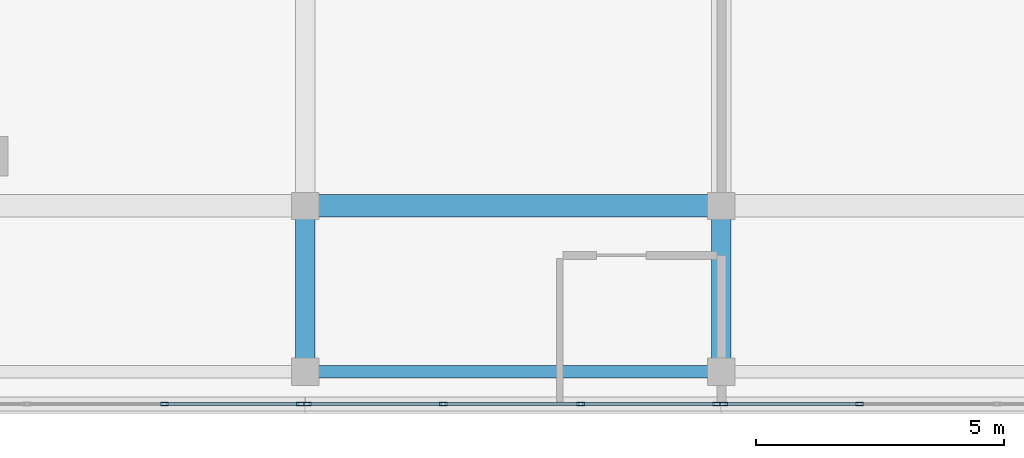
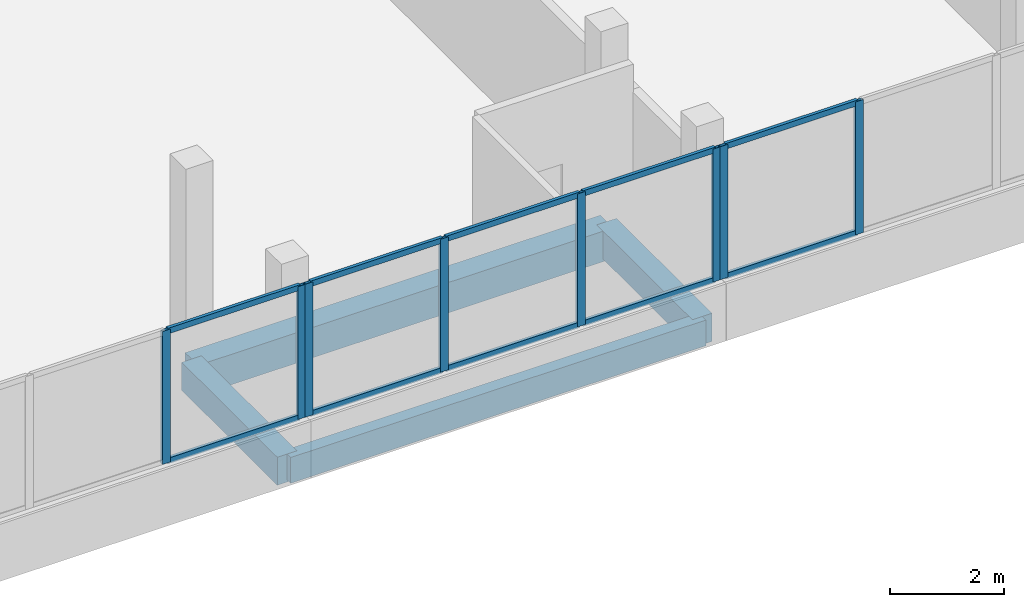
# One storey, part 23 of 66: 18 members, 4 beams, 3 elements without a shape of their own.
"""IFC4 building model written with IfcOpenShell, lengths in metres."""

import ifcopenshell
import ifcopenshell.guid

model = None  # the IFC model being written
_history = None  # IfcOwnerHistory: only IFC2X3 demands one
_inside = {}  # id of a spatial element -> (the spatial element, [elements in it])
_under = {}  # id of a project, library or spatial element -> (it, [spatial elements below it])
_declared = {}  # id of a project -> (the project, [libraries it declares])
_typed = {}  # id of a type object -> (the type object, [elements of that type])
_made_of = {}  # id of a material, layer set ... -> (it, [elements and type objects made of it])


def new_model(schema):
    """Start an empty IFC model of exactly this schema.

    Asked for "IFC4X3", IfcOpenShell would pick the latest addendum, in which some entities
    have other attributes; the version numbers below select the first issue.
    IFC2X3 requires an IfcOwnerHistory on every rooted entity: one is made here for all.
    """
    global model, _history
    if schema == "IFC4X3":
        model = ifcopenshell.file(schema_version=(4, 3, 0, 0))
    else:
        model = ifcopenshell.file(schema=schema)
    _inside.clear()
    _under.clear()
    _declared.clear()
    _typed.clear()
    _made_of.clear()
    _history = None
    if model.schema == "IFC2X3":
        org = make("IfcOrganization", Name="unknown")
        user = make(
            "IfcPersonAndOrganization",
            ThePerson=make("IfcPerson", FamilyName="unknown"),
            TheOrganization=org,
        )
        app = make(
            "IfcApplication",
            ApplicationDeveloper=org,
            Version="unknown",
            ApplicationFullName="unknown",
            ApplicationIdentifier="unknown",
        )
        _history = make(
            "IfcOwnerHistory",
            OwningUser=user,
            OwningApplication=app,
            ChangeAction="ADDED",
            CreationDate=0,
        )
    return model


def make(cls, **values):
    """One entity of the class cls with the attributes given. An attribute that is None is left unset."""
    return model.create_entity(
        cls, **{name: value for name, value in values.items() if value is not None}
    )


def rooted(cls, **values):
    """An entity with a GlobalId (a new one), such as an element, a storey or a relation."""
    return make(cls, GlobalId=ifcopenshell.guid.new(), OwnerHistory=_history, **values)


def si_unit(unit_type, name, prefix=None):
    """IfcSIUnit, for example si_unit("LENGTHUNIT", "METRE", prefix="MILLI")."""
    return make("IfcSIUnit", UnitType=unit_type, Prefix=prefix, Name=name)


def assignment(units):
    """IfcUnitAssignment: the units of a project."""
    return None if units is None else make("IfcUnitAssignment", Units=units)


def point(xyz):
    """IfcCartesianPoint."""
    return None if xyz is None else make("IfcCartesianPoint", Coordinates=xyz)


def direction(xyz):
    """IfcDirection."""
    return None if xyz is None else make("IfcDirection", DirectionRatios=xyz)


def frame(location, z_axis=None, x_axis=None):
    """IfcAxis2Placement3D, a coordinate frame: its origin and axes. An axis left out is left unset."""
    return make(
        "IfcAxis2Placement3D",
        Location=point(location),
        Axis=direction(z_axis),
        RefDirection=direction(x_axis),
    )


def frame_2d(location, x_axis=None):
    """IfcAxis2Placement2D, a coordinate frame in the plane: its origin and x axis."""
    return make(
        "IfcAxis2Placement2D", Location=point(location), RefDirection=direction(x_axis)
    )


def origin():
    """The frame at (0, 0, 0) with its axes left unset."""
    return frame((0.0, 0.0, 0.0))


def origin_2d():
    """The frame at (0, 0) in the plane with its x axis left unset."""
    return frame_2d((0.0, 0.0))


def place(relative_to, where):
    """IfcLocalPlacement: puts the frame where relative to a parent placement (None: the world)."""
    return make(
        "IfcLocalPlacement", PlacementRelTo=relative_to, RelativePlacement=where
    )


def context(
    kind, dimensions, precision=None, world=None, true_north=None, identifier=None
):
    """IfcGeometricRepresentationContext, for example the 3D "Model" context."""
    return make(
        "IfcGeometricRepresentationContext",
        ContextIdentifier=identifier,
        ContextType=kind,
        CoordinateSpaceDimension=dimensions,
        Precision=precision,
        WorldCoordinateSystem=world,
        TrueNorth=true_north,
    )


def subcontext(parent, identifier, kind, view, scale=None):
    """IfcGeometricRepresentationSubContext, for example "Body" below "Model"."""
    return make(
        "IfcGeometricRepresentationSubContext",
        ContextIdentifier=identifier,
        ContextType=kind,
        ParentContext=parent,
        TargetScale=scale,
        TargetView=view,
    )


def project(units=None, contexts=None):
    """IfcProject with its units and contexts."""
    return rooted(
        "IfcProject",
        Name="project",
        RepresentationContexts=contexts,
        UnitsInContext=assignment(units),
    )


def spatial(cls, under=None, at=None, **own):
    """A site, building, storey or space (cls), placed at a placement, below another one or the project."""
    s = rooted(cls, ObjectPlacement=at, **own)
    if under is not None:
        _under.setdefault(under.id(), (under, []))[1].append(s)
    return s


def profile(cls, at=None, kind="AREA", **sizes):
    """A parametric profile (cls). Its sizes go by their IFC names, for example OverallWidth=200.0."""
    return make(cls, ProfileType=kind, Position=at, **sizes)


def rectangle(**sizes):
    """IfcRectangleProfileDef."""
    return profile("IfcRectangleProfileDef", **sizes)


def hollow_rectangle(**sizes):
    """IfcRectangleHollowProfileDef."""
    return profile("IfcRectangleHollowProfileDef", **sizes)


def extrude(swept, where, along, depth):
    """IfcExtrudedAreaSolid: the profile swept, set in the frame where, extruded along a direction by depth."""
    return make(
        "IfcExtrudedAreaSolid",
        SweptArea=swept,
        Position=where,
        ExtrudedDirection=direction(along),
        Depth=depth,
    )


def shape(context_of_items, identifier, shape_type, items):
    """IfcShapeRepresentation: the items that make up one representation, for example the "Body"."""
    return make(
        "IfcShapeRepresentation",
        ContextOfItems=context_of_items,
        RepresentationIdentifier=identifier,
        RepresentationType=shape_type,
        Items=items,
    )


def material(Name=None, Category=None):
    """IfcMaterial."""
    return make("IfcMaterial", Name=Name, Category=Category)


def material_profile(
    of_material, cross_section, Name=None, Category=None, Priority=None
):
    """IfcMaterialProfile: a cross section and its material."""
    return make(
        "IfcMaterialProfile",
        Name=Name,
        Material=of_material,
        Profile=cross_section,
        Priority=Priority,
        Category=Category,
    )


def profile_set(profiles, Name=None, composite=None):
    """IfcMaterialProfileSet."""
    return make(
        "IfcMaterialProfileSet",
        Name=Name,
        MaterialProfiles=profiles,
        CompositeProfile=composite,
    )


def made_of(thing, what):
    """Note that an element or type object is made of a material, layer set ...; save() writes the relation."""
    if what is not None:
        _made_of.setdefault(what.id(), (what, []))[1].append(thing)
    return thing


def type_object(cls, material=None, **own):
    """A type object (cls), such as IfcWallType, which elements share."""
    return made_of(rooted(cls, **own), material)


def element(
    cls,
    number,
    at=None,
    inside=None,
    cuts=None,
    type_object=None,
    material=None,
    context=None,
    identifier="Body",
    shape_type=None,
    held_by="IfcProductDefinitionShape",
    body=None,
    shapes=None,
    **own,
):
    """One element of the class cls, such as IfcWall. Its Tag is "e" and its number.

    at: its placement. inside: the storey or other place that contains it. cuts: it is an
    opening in that element (IfcRelVoidsElement). A single representation is given by context,
    identifier, shape_type and body (its items); several are given by shapes. held_by: the class
    of the entity that holds the representations. save() writes the other relations.
    """
    e = rooted(cls, Tag="e%d" % number, ObjectPlacement=at, **own)
    if body is not None:
        shapes = [shape(context, identifier, shape_type, body)]
    if shapes is not None:
        e.Representation = make(held_by, Representations=shapes)
    if inside is not None:
        _inside.setdefault(inside.id(), (inside, []))[1].append(e)
    if cuts is not None:
        rooted(
            "IfcRelVoidsElement", RelatingBuildingElement=cuts, RelatedOpeningElement=e
        )
    if type_object is not None:
        _typed.setdefault(type_object.id(), (type_object, []))[1].append(e)
    return made_of(e, material)


def aggregate(whole, parts):
    """IfcRelAggregates: a whole, such as a stair, and the parts it consists of."""
    return rooted("IfcRelAggregates", RelatingObject=whole, RelatedObjects=parts)


def save(model, path):
    """Write the relations noted so far, then the file.

    IfcRelAggregates (storeys below a building ...), IfcRelContainedInSpatialStructure (elements
    in a storey), IfcRelDefinesByType, IfcRelAssociatesMaterial and IfcRelDeclares: one each for
    every whole, place, type object, material and project.
    """
    for whole, parts in _under.values():
        aggregate(whole, parts)
    for where, things in _inside.values():
        rooted(
            "IfcRelContainedInSpatialStructure",
            RelatedElements=things,
            RelatingStructure=where,
        )
    for kind, things in _typed.values():
        rooted("IfcRelDefinesByType", RelatedObjects=things, RelatingType=kind)
    for what, things in _made_of.values():
        rooted("IfcRelAssociatesMaterial", RelatedObjects=things, RelatingMaterial=what)
    for by, libraries in _declared.values():
        rooted("IfcRelDeclares", RelatingContext=by, RelatedDefinitions=libraries)
    model.write(path)


model = new_model("IFC4")

# Units and contexts
model_context = context("Model", 3, precision=1e-05, world=origin(), true_north=direction((0.0, 1.0)))
body_context = subcontext(model_context, "Body", "Model", "MODEL_VIEW")
ifc_project = project(units=[si_unit("LENGTHUNIT", "METRE"), si_unit("AREAUNIT", "SQUARE_METRE"), si_unit("VOLUMEUNIT", "CUBIC_METRE"), si_unit("PLANEANGLEUNIT", "RADIAN"), si_unit("MASSUNIT", "GRAM", prefix="KILO")], contexts=[model_context])

# Site, building, storey
site_placement = place(None, origin())
site = spatial("IfcSite", under=ifc_project, at=site_placement, CompositionType="ELEMENT")
building_placement = place(site_placement, origin())
building = spatial("IfcBuilding", under=site, at=building_placement, Name="Selatvlak General Hospital", CompositionType="ELEMENT")
storey_placement = place(building_placement, frame((0.0, 0.0, 31.35009765625)))
storey = spatial("IfcBuildingStorey", under=building, at=storey_placement, Name="L07", CompositionType="ELEMENT", Elevation=31.35009765625)

# Beams
ifc_material_1 = material(Name="Concrete C40/50", Category="concrete")
ifc_material_profile_1 = material_profile(ifc_material_1, rectangle(XDim=0.449951171875, YDim=0.64990234375, at=origin_2d()), Name="RC-BM 450x650")
ifc_profile_set_1 = profile_set([ifc_material_profile_1], Name="Concrete C40/50")
beam_type_1 = type_object("IfcBeamType", Name="BM-G04", PredefinedType="BEAM", material=ifc_profile_set_1)
beam_1_placement = place(storey_placement, frame((90.0, 92.0, -0.59521484375), z_axis=(1.0, 0.0, 0.0), x_axis=(0.0, 1.0, 0.0)))
element("IfcBeam", 1, at=beam_1_placement, inside=storey, type_object=beam_type_1, Name="Beam BMR-L07-2389", PredefinedType="BEAM", context=body_context, shape_type="SweptSolid", body=[
    extrude(rectangle(XDim=0.449951171875, YDim=0.64990234375, at=origin_2d()), origin(), (0.0, 0.0, 1.0), 8.39990234375),
])
ifc_material_profile_2 = material_profile(ifc_material_1, rectangle(XDim=0.39990234375, YDim=0.60009765625, at=origin_2d()), Name="RC-BM 400x600")
ifc_profile_set_2 = profile_set([ifc_material_profile_2], Name="Concrete C40/50")
beam_type_2 = type_object("IfcBeamType", Name="BM-G05", PredefinedType="BEAM", material=ifc_profile_set_2)
for number, where, z_axis, x_axis, name in (
    (2, (90.0, 88.64990234375, -0.570068359375), (0.0, 1.0, 0.0), (-1.0, 0.0, 0.0), "Beam BMR-L07-2499"),
    (3, (98.39990234375, 88.64990234375, -0.570068359375), (0.0, 1.0, 0.0), (-1.0, 0.0, 0.0), "Beam BMR-L07-2503"),
):
    element("IfcBeam", number, at=place(storey_placement, frame(where, z_axis=z_axis, x_axis=x_axis)), inside=storey, type_object=beam_type_2, Name=name, PredefinedType="BEAM", context=body_context, shape_type="SweptSolid", body=[
        extrude(rectangle(XDim=0.39990234375, YDim=0.60009765625, at=origin_2d()), origin(), (0.0, 0.0, 1.0), 3.35009765625),
    ])
ifc_material_profile_3 = material_profile(ifc_material_1, rectangle(XDim=0.25, YDim=0.550048828125, at=origin_2d()), Name="RC-SP 250x550")
ifc_profile_set_3 = profile_set([ifc_material_profile_3], Name="Concrete C40/50")
beam_type_3 = type_object("IfcBeamType", Name="BM-SP2", PredefinedType="SPANDREL", material=ifc_profile_set_3)
beam_2_placement = place(storey_placement, frame((90.0, 88.64990234375, -0.545166015625), z_axis=(1.0, 0.0, 0.0), x_axis=(0.0, 1.0, 0.0)))
element("IfcBeam", 4, at=beam_2_placement, inside=storey, type_object=beam_type_3, Name="Beam BMR-L07-2370", PredefinedType="SPANDREL", context=body_context, shape_type="SweptSolid", body=[
    extrude(rectangle(XDim=0.25, YDim=0.550048828125, at=origin_2d()), origin(), (0.0, 0.0, 1.0), 8.39990234375),
])

# Curtain wall, members
ifc_material_2 = material(Name="Solar-control Low-E double glazing", Category="glass")
curtain_wall_type_1 = type_object("IfcCurtainWallType", Name="CW-CW-02", PredefinedType="USERDEFINED", material=ifc_material_2)
curtain_wall_1_placement = place(storey_placement, origin())
curtain_wall_1 = element("IfcCurtainWall", 5, at=curtain_wall_1_placement, inside=storey, type_object=curtain_wall_type_1, Name="Glazed facade curtain wall CW-L07-0670", ObjectType="UNITISED CURTAIN WALL", PredefinedType="USERDEFINED")
ifc_material_3 = material(Name="Dark anodised aluminium mullion", Category="aluminium")
ifc_material_profile_4 = material_profile(ifc_material_3, hollow_rectangle(XDim=0.06494140625, YDim=0.159912109375, WallThickness=0.00390625, at=origin_2d()), Name="AL-MUL 65x160x4")
ifc_profile_set_4 = profile_set([ifc_material_profile_4], Name="Dark anodised aluminium mullion")
member_type_1 = type_object("IfcMemberType", Name="CWM-01", PredefinedType="MULLION", material=ifc_profile_set_4)
member_1_placement = place(storey_placement, frame((101.188232421875, 88.0009765625, 0.93994140625), z_axis=(0.0, 0.0, 1.0), x_axis=(0.0, -1.0, 0.0)))
member_1 = element("IfcMember", 6, at=member_1_placement, type_object=member_type_1, Name="CW-02 mullion 3", PredefinedType="MULLION", context=body_context, shape_type="SweptSolid", body=[
    extrude(hollow_rectangle(XDim=0.06494140625, YDim=0.159912109375, WallThickness=0.00390625, at=origin_2d()), origin(), (0.0, 0.0, 1.0), 2.844970703125),
])
member_2_placement = place(storey_placement, frame((98.447509765625, 88.0009765625, 0.93994140625), z_axis=(0.0, 0.0, 1.0), x_axis=(0.0, -1.0, 0.0)))
member_2 = element("IfcMember", 7, at=member_2_placement, type_object=member_type_1, Name="CW-02 mullion 4", PredefinedType="MULLION", context=body_context, shape_type="SweptSolid", body=[
    extrude(hollow_rectangle(XDim=0.06494140625, YDim=0.159912109375, WallThickness=0.00390625, at=origin_2d()), origin(), (0.0, 0.0, 1.0), 2.844970703125),
])

curtain_wall_type_2 = type_object("IfcCurtainWallType", Name="CW-CW-01", PredefinedType="USERDEFINED", material=ifc_material_2)
curtain_wall_2_placement = place(storey_placement, origin())
curtain_wall_2 = element("IfcCurtainWall", 8, at=curtain_wall_2_placement, inside=storey, type_object=curtain_wall_type_2, Name="Glazed facade curtain wall CW-L07-0671", ObjectType="UNITISED CURTAIN WALL", PredefinedType="USERDEFINED")
member_3_placement = place(storey_placement, frame((98.302490234375, 88.0009765625, 0.93994140625), z_axis=(0.0, 0.0, 1.0), x_axis=(0.000120192308, -0.999999992777, 0.0)))
member_3 = element("IfcMember", 9, at=member_3_placement, type_object=member_type_1, Name="CW-01 mullion 1", PredefinedType="MULLION", context=body_context, shape_type="SweptSolid", body=[
    extrude(hollow_rectangle(XDim=0.06494140625, YDim=0.159912109375, WallThickness=0.00390625, at=origin_2d()), origin(), (0.0, 0.0, 1.0), 2.844970703125),
])
member_4_placement = place(storey_placement, frame((95.561767578125, 88.000732421875, 0.93994140625), z_axis=(0.0, 0.0, 1.0), x_axis=(0.000120192308, -0.999999992777, 0.0)))
member_4 = element("IfcMember", 10, at=member_4_placement, type_object=member_type_1, Name="CW-01 mullion 2", PredefinedType="MULLION", context=body_context, shape_type="SweptSolid", body=[
    extrude(hollow_rectangle(XDim=0.06494140625, YDim=0.159912109375, WallThickness=0.00390625, at=origin_2d()), origin(), (0.0, 0.0, 1.0), 2.844970703125),
])
member_5_placement = place(storey_placement, frame((92.788330078125, 88.000244140625, 0.93994140625), z_axis=(0.0, 0.0, 1.0), x_axis=(0.000120192308, -0.999999992777, 0.0)))
member_5 = element("IfcMember", 11, at=member_5_placement, type_object=member_type_1, Name="CW-01 mullion 3", PredefinedType="MULLION", context=body_context, shape_type="SweptSolid", body=[
    extrude(hollow_rectangle(XDim=0.06494140625, YDim=0.159912109375, WallThickness=0.00390625, at=origin_2d()), origin(), (0.0, 0.0, 1.0), 2.844970703125),
])
member_6_placement = place(storey_placement, frame((90.047607421875, 88.0, 0.93994140625), z_axis=(0.0, 0.0, 1.0), x_axis=(0.000120192308, -0.999999992777, 0.0)))
member_6 = element("IfcMember", 12, at=member_6_placement, type_object=member_type_1, Name="CW-01 mullion 4", PredefinedType="MULLION", context=body_context, shape_type="SweptSolid", body=[
    extrude(hollow_rectangle(XDim=0.06494140625, YDim=0.159912109375, WallThickness=0.00390625, at=origin_2d()), origin(), (0.0, 0.0, 1.0), 2.844970703125),
])

curtain_wall_3_placement = place(storey_placement, origin())
curtain_wall_3 = element("IfcCurtainWall", 13, at=curtain_wall_3_placement, inside=storey, type_object=curtain_wall_type_1, Name="Glazed facade curtain wall CW-L07-0672", ObjectType="UNITISED CURTAIN WALL", PredefinedType="USERDEFINED")
member_7_placement = place(storey_placement, frame((89.902587890625, 88.0, 0.93994140625), z_axis=(0.0, 0.0, 1.0), x_axis=(0.0, -1.0, 0.0)))
member_7 = element("IfcMember", 14, at=member_7_placement, type_object=member_type_1, Name="CW-02 mullion 1", PredefinedType="MULLION", context=body_context, shape_type="SweptSolid", body=[
    extrude(hollow_rectangle(XDim=0.06494140625, YDim=0.159912109375, WallThickness=0.00390625, at=origin_2d()), origin(), (0.0, 0.0, 1.0), 2.844970703125),
])
member_8_placement = place(storey_placement, frame((87.16162109375, 88.0, 0.93994140625), z_axis=(0.0, 0.0, 1.0), x_axis=(0.0, -1.0, 0.0)))
member_8 = element("IfcMember", 15, at=member_8_placement, type_object=member_type_1, Name="CW-02 mullion 2", PredefinedType="MULLION", context=body_context, shape_type="SweptSolid", body=[
    extrude(hollow_rectangle(XDim=0.06494140625, YDim=0.159912109375, WallThickness=0.00390625, at=origin_2d()), origin(), (0.0, 0.0, 1.0), 2.844970703125),
])

# Member
ifc_material_profile_5 = material_profile(ifc_material_3, hollow_rectangle(XDim=0.06494140625, YDim=0.1201171875, WallThickness=0.00390625, at=origin_2d()), Name="AL-TRN 65x120x4")
ifc_profile_set_5 = profile_set([ifc_material_profile_5], Name="Dark anodised aluminium mullion")
member_type_2 = type_object("IfcMemberType", Name="CWT-01", PredefinedType="USERDEFINED", material=ifc_profile_set_5)
member_9_placement = place(storey_placement, frame((101.15576171875, 88.0009765625, 0.972412109375), z_axis=(-1.0, 0.0, 0.0), x_axis=(0.0, -1.0, 0.0)))
member_9 = element("IfcMember", 16, at=member_9_placement, type_object=member_type_2, Name="CW-02 transom 3.1", ObjectType="TRANSOM", PredefinedType="USERDEFINED", context=body_context, shape_type="SweptSolid", body=[
    extrude(hollow_rectangle(XDim=0.06494140625, YDim=0.1201171875, WallThickness=0.00390625, at=origin_2d()), origin(), (0.0, 0.0, 1.0), 2.67578125),
])

member_10_placement = place(storey_placement, frame((101.15576171875, 88.0009765625, 3.75244140625), z_axis=(-1.0, 0.0, 0.0), x_axis=(0.0, -1.0, 0.0)))
member_10 = element("IfcMember", 17, at=member_10_placement, type_object=member_type_2, Name="CW-02 transom 3.2", ObjectType="TRANSOM", PredefinedType="USERDEFINED", context=body_context, shape_type="SweptSolid", body=[
    extrude(hollow_rectangle(XDim=0.06494140625, YDim=0.1201171875, WallThickness=0.00390625, at=origin_2d()), origin(), (0.0, 0.0, 1.0), 2.67578125),
])

aggregate(curtain_wall_1, [member_1, member_2, member_9, member_10])

member_11_placement = place(storey_placement, frame((98.27001953125, 88.0009765625, 0.972412109375), z_axis=(-0.999999995838, -9.1240876e-05, 0.0), x_axis=(9.1240876e-05, -0.999999995838, 0.0)))
member_11 = element("IfcMember", 18, at=member_11_placement, type_object=member_type_2, Name="CW-01 transom 1.1", ObjectType="TRANSOM", PredefinedType="USERDEFINED", context=body_context, shape_type="SweptSolid", body=[
    extrude(hollow_rectangle(XDim=0.06494140625, YDim=0.1201171875, WallThickness=0.00390625, at=origin_2d()), origin(), (0.0, 0.0, 1.0), 2.67578125),
])

member_12_placement = place(storey_placement, frame((98.27001953125, 88.0009765625, 3.75244140625), z_axis=(-0.999999995838, -9.1240876e-05, 0.0), x_axis=(9.1240876e-05, -0.999999995838, 0.0)))
member_12 = element("IfcMember", 19, at=member_12_placement, type_object=member_type_2, Name="CW-01 transom 1.2", ObjectType="TRANSOM", PredefinedType="USERDEFINED", context=body_context, shape_type="SweptSolid", body=[
    extrude(hollow_rectangle(XDim=0.06494140625, YDim=0.1201171875, WallThickness=0.00390625, at=origin_2d()), origin(), (0.0, 0.0, 1.0), 2.67578125),
])

member_13_placement = place(storey_placement, frame((95.529052734375, 88.000732421875, 0.972412109375), z_axis=(-0.999999983747, -0.000180293876, 0.0), x_axis=(0.000180293876, -0.999999983747, 0.0)))
member_13 = element("IfcMember", 20, at=member_13_placement, type_object=member_type_2, Name="CW-01 transom 2.1", ObjectType="TRANSOM", PredefinedType="USERDEFINED", context=body_context, shape_type="SweptSolid", body=[
    extrude(hollow_rectangle(XDim=0.06494140625, YDim=0.1201171875, WallThickness=0.00390625, at=origin_2d()), origin(), (0.0, 0.0, 1.0), 2.708251953125),
])

member_14_placement = place(storey_placement, frame((95.529052734375, 88.000732421875, 3.75244140625), z_axis=(-0.999999983747, -0.000180293876, 0.0), x_axis=(0.000180293876, -0.999999983747, 0.0)))
member_14 = element("IfcMember", 21, at=member_14_placement, type_object=member_type_2, Name="CW-01 transom 2.2", ObjectType="TRANSOM", PredefinedType="USERDEFINED", context=body_context, shape_type="SweptSolid", body=[
    extrude(hollow_rectangle(XDim=0.06494140625, YDim=0.1201171875, WallThickness=0.00390625, at=origin_2d()), origin(), (0.0, 0.0, 1.0), 2.708251953125),
])

member_15_placement = place(storey_placement, frame((92.755859375, 88.000244140625, 0.972412109375), z_axis=(-0.999999995838, -9.1240876e-05, 0.0), x_axis=(9.1240876e-05, -0.999999995838, 0.0)))
member_15 = element("IfcMember", 22, at=member_15_placement, type_object=member_type_2, Name="CW-01 transom 3.1", ObjectType="TRANSOM", PredefinedType="USERDEFINED", context=body_context, shape_type="SweptSolid", body=[
    extrude(hollow_rectangle(XDim=0.06494140625, YDim=0.1201171875, WallThickness=0.00390625, at=origin_2d()), origin(), (0.0, 0.0, 1.0), 2.67578125),
])

member_16_placement = place(storey_placement, frame((92.755859375, 88.000244140625, 3.75244140625), z_axis=(-0.999999995838, -9.1240876e-05, 0.0), x_axis=(9.1240876e-05, -0.999999995838, 0.0)))
member_16 = element("IfcMember", 23, at=member_16_placement, type_object=member_type_2, Name="CW-01 transom 3.2", ObjectType="TRANSOM", PredefinedType="USERDEFINED", context=body_context, shape_type="SweptSolid", body=[
    extrude(hollow_rectangle(XDim=0.06494140625, YDim=0.1201171875, WallThickness=0.00390625, at=origin_2d()), origin(), (0.0, 0.0, 1.0), 2.67578125),
])

aggregate(curtain_wall_2, [member_3, member_4, member_5, member_6, member_11, member_12, member_13, member_14, member_15, member_16])

member_17_placement = place(storey_placement, frame((89.8701171875, 88.0, 0.972412109375), z_axis=(-1.0, 0.0, 0.0), x_axis=(0.0, -1.0, 0.0)))
member_17 = element("IfcMember", 24, at=member_17_placement, type_object=member_type_2, Name="CW-02 transom 1.1", ObjectType="TRANSOM", PredefinedType="USERDEFINED", context=body_context, shape_type="SweptSolid", body=[
    extrude(hollow_rectangle(XDim=0.06494140625, YDim=0.1201171875, WallThickness=0.00390625, at=origin_2d()), origin(), (0.0, 0.0, 1.0), 2.676025390625),
])

member_18_placement = place(storey_placement, frame((89.8701171875, 88.0, 3.75244140625), z_axis=(-1.0, 0.0, 0.0), x_axis=(0.0, -1.0, 0.0)))
member_18 = element("IfcMember", 25, at=member_18_placement, type_object=member_type_2, Name="CW-02 transom 1.2", ObjectType="TRANSOM", PredefinedType="USERDEFINED", context=body_context, shape_type="SweptSolid", body=[
    extrude(hollow_rectangle(XDim=0.06494140625, YDim=0.1201171875, WallThickness=0.00390625, at=origin_2d()), origin(), (0.0, 0.0, 1.0), 2.676025390625),
])

aggregate(curtain_wall_3, [member_7, member_8, member_17, member_18])

save(model, "model.ifc")
